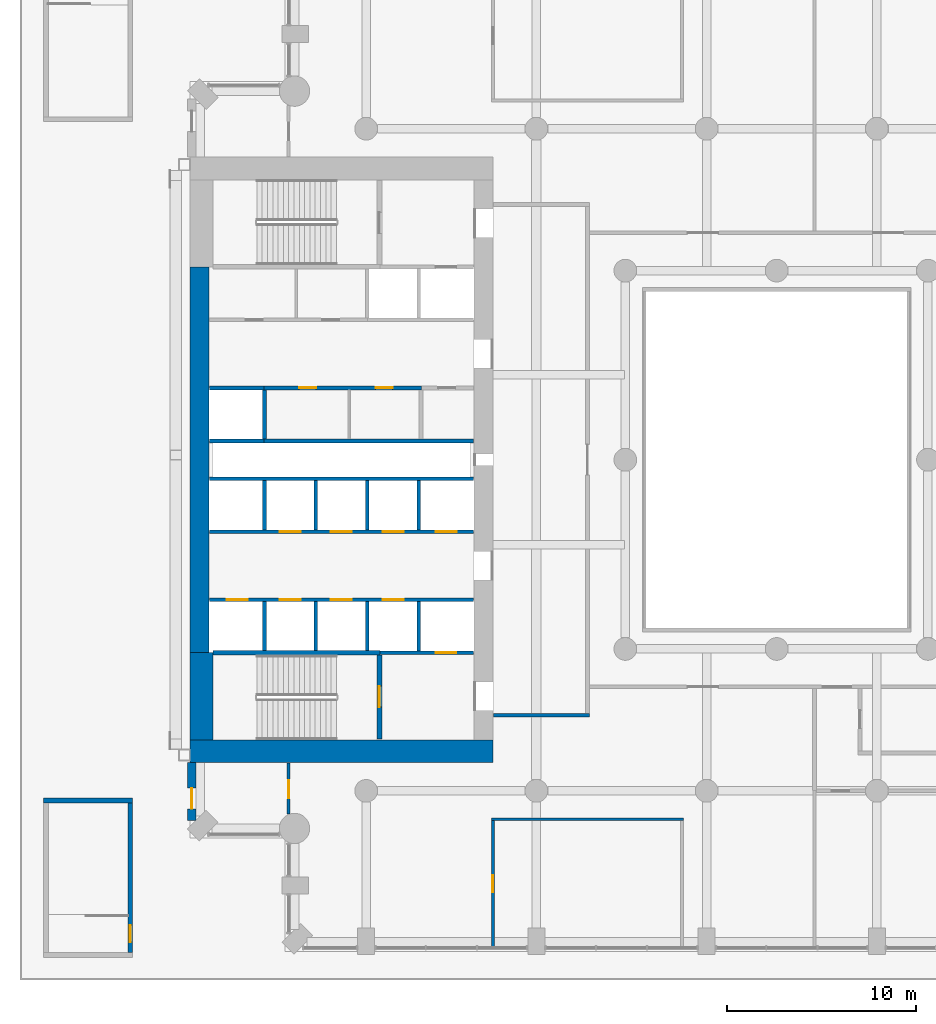
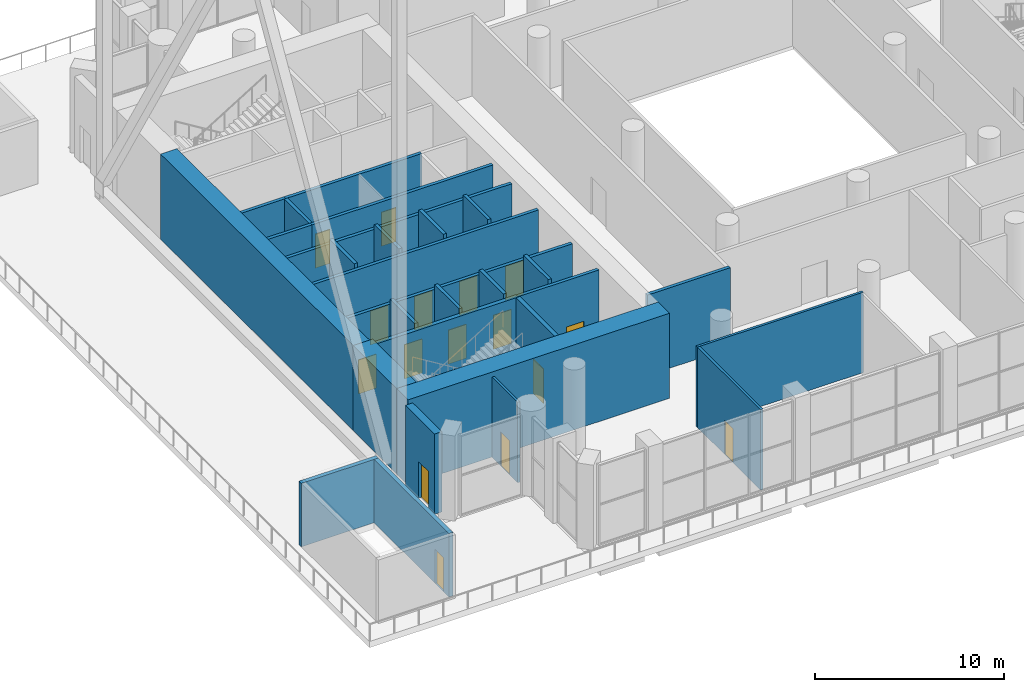
# One storey, part 13 of 26: 29 walls, 16 doors, 16 openings.
"""IFC4 building model written with IfcOpenShell, lengths in metres."""

from ifc_helpers import new_model, si_unit, direction, frame, frame_2d, origin, place, context, subcontext, project, spatial, rectangle, extrude, material, layer, layer_set, type_object, element, fill, save


model = new_model("IFC4")

# Units and contexts
model_context = context("Model", 3, precision=1e-05, world=origin(), true_north=direction((0.0, 1.0)))
body_context = subcontext(model_context, "Body", "Model", "MODEL_VIEW")
ifc_project = project(units=[si_unit("LENGTHUNIT", "METRE"), si_unit("AREAUNIT", "SQUARE_METRE"), si_unit("VOLUMEUNIT", "CUBIC_METRE"), si_unit("PLANEANGLEUNIT", "RADIAN"), si_unit("MASSUNIT", "GRAM", prefix="KILO")], contexts=[model_context])

# Site, building, storey
site_placement = place(None, origin())
site = spatial("IfcSite", under=ifc_project, at=site_placement, CompositionType="ELEMENT")
building_placement = place(site_placement, origin())
building = spatial("IfcBuilding", under=site, at=building_placement, Name="Cypress Arch Tower", CompositionType="ELEMENT")
storey_placement = place(building_placement, frame((0.0, 0.0, 50.0)))
storey = spatial("IfcBuildingStorey", under=building, at=storey_placement, Name="L06", CompositionType="ELEMENT", Elevation=50.0)

# Wall, opening, door
ifc_material_1 = material(Name="Brick (red buff blend)", Category="masonry")
ifc_layer_1 = layer(ifc_material_1, 0.449951171875)
ifc_layer_set_1 = layer_set([ifc_layer_1], Name="Brick pier and spandrel wall BW450")
wall_type_1 = type_object("IfcWallType", Name="Brick pier and spandrel wall BW450", PredefinedType="SOLIDWALL", material=ifc_layer_set_1)
wall_1_placement = place(storey_placement, frame((-29.925048828125, -16.0, 0.0), z_axis=(0.0, 0.0, 1.0), x_axis=(0.0, -1.0, 0.0)))
wall_1 = element("IfcWall", 1, at=wall_1_placement, inside=storey, type_object=wall_type_1, Name="Brick wall L06 A00.0.1", PredefinedType="SOLIDWALL", context=body_context, shape_type="SweptSolid", body=[
    extrude(rectangle(XDim=3.063720703125, YDim=0.449951171875, at=frame_2d((1.53173828125, 0.0))), origin(), (0.0, 0.0, 1.0), 5.199951171875),
])
opening_1_placement = place(wall_1_placement, frame((1.35009765625, 0.0, 0.0)))
opening_1 = element("IfcOpeningElement", 2, at=opening_1_placement, cuts=wall_1, Name="Opening DX1100", PredefinedType="OPENING", context=body_context, shape_type="SweptSolid", body=[
    extrude(rectangle(XDim=1.10009765625, YDim=2.39990234375, at=frame_2d((0.550048828125, 1.199951171875))), frame((0.0, 0.23486328125, 0.0), z_axis=(0.0, -1.0, 0.0), x_axis=(1.0, 0.0, 0.0)), (0.0, 0.0, 1.0), 0.469970703125),
])
ifc_material_2 = material(Name="Steel, powder coated, glazed vision panel", Category="steel")
door_type_1 = type_object("IfcDoorType", Name="Exit door single 1100x2400", OperationType="SINGLE_SWING_LEFT", PredefinedType="DOOR", material=ifc_material_2)
door_1_placement = place(opening_1_placement, origin())
door_1 = element("IfcDoor", 3, at=door_1_placement, inside=storey, type_object=door_type_1, Name="Exterior door L06 A00.0.1.1", OperationType="SINGLE_SWING_LEFT", OverallHeight=2.39990234375, OverallWidth=1.10009765625, PredefinedType="DOOR", context=body_context, shape_type="SweptSolid", body=[
    extrude(rectangle(XDim=1.10009765625, YDim=2.39990234375, at=frame_2d((0.550048828125, 1.199951171875))), frame((0.0, 0.02490234375, 0.0), z_axis=(0.0, -1.0, 0.0), x_axis=(1.0, 0.0, 0.0)), (0.0, 0.0, 1.0), 0.050048828125),
])
fill(opening_1, door_1)

# Walls
ifc_material_3 = material(Name="Concrete C80/95", Category="concrete")
ifc_layer_2 = layer(ifc_material_3, 1.0)
ifc_layer_set_2 = layer_set([ifc_layer_2], Name="Core wall CW1000 C80/95")
wall_type_2 = type_object("IfcWallType", Name="Core wall CW1000 C80/95", PredefinedType="SHEAR", material=ifc_layer_set_2)
wall_2_placement = place(storey_placement, frame((-29.5, -10.199951171875, 0.0), z_axis=(0.0, 0.0, 1.0), x_axis=(0.0, 1.0, 0.0)))
element("IfcWall", 4, at=wall_2_placement, inside=storey, type_object=wall_type_2, Name="Core wall", PredefinedType="SHEAR", context=body_context, shape_type="SweptSolid", body=[
    extrude(rectangle(XDim=20.39990234375, YDim=1.0, at=frame_2d((10.199951171875, 0.0))), origin(), (0.0, 0.0, 1.0), 5.5),
])
ifc_material_4 = material(Name="Concrete C80/95", Category="concrete")
ifc_layer_3 = layer(ifc_material_4, 1.199951171875)
ifc_layer_set_3 = layer_set([ifc_layer_3], Name="Core wall CW1200 C80/95")
wall_type_3 = type_object("IfcWallType", Name="Core wall CW1200 C80/95", PredefinedType="SHEAR", material=ifc_layer_set_3)
wall_3_placement = place(storey_placement, frame((-30.0, -15.39990234375, 0.0), z_axis=(0.0, 0.0, 1.0), x_axis=(1.0, 0.0, 0.0)))
element("IfcWall", 5, at=wall_3_placement, inside=storey, type_object=wall_type_3, Name="Core wall", PredefinedType="SHEAR", context=body_context, shape_type="SweptSolid", body=[
    extrude(rectangle(XDim=16.0, YDim=1.199951171875, at=frame_2d((8.0, 0.0))), origin(), (0.0, 0.0, 1.0), 5.5),
])
wall_4_placement = place(storey_placement, frame((-29.39990234375, -14.800048828125, 0.0), z_axis=(0.0, 0.0, 1.0), x_axis=(0.0, 1.0, 0.0)))
element("IfcWall", 6, at=wall_4_placement, inside=storey, type_object=wall_type_3, Name="Core wall", PredefinedType="SHEAR", context=body_context, shape_type="SweptSolid", body=[
    extrude(rectangle(XDim=4.60009765625, YDim=1.199951171875, at=frame_2d((2.300048828125, 0.0))), origin(), (0.0, 0.0, 1.0), 5.5),
])

# Wall, openings, doors
ifc_material_5 = material(Name="Concrete blockwork, plastered, rated", Category="masonry")
ifc_layer_4 = layer(ifc_material_5, 0.199951171875)
ifc_layer_set_4 = layer_set([ifc_layer_4], Name="Corridor wall FW200")
wall_type_4 = type_object("IfcWallType", Name="Corridor wall FW200", PredefinedType="PARTITIONING", material=ifc_layer_set_4)
wall_5_placement = place(storey_placement, frame((-26.10009765625, 3.800048828125, 0.0), z_axis=(0.0, 0.0, 1.0), x_axis=(1.0, 0.0, 0.0)))
wall_5 = element("IfcWall", 7, at=wall_5_placement, inside=storey, type_object=wall_type_4, Name="Corridor wall", PredefinedType="PARTITIONING", context=body_context, shape_type="SweptSolid", body=[
    extrude(rectangle(XDim=8.320068359375, YDim=0.199951171875, at=frame_2d((4.16015625, 0.0))), origin(), (0.0, 0.0, 1.0), 5.199951171875),
])
opening_2_placement = place(wall_5_placement, frame((1.85009765625, 0.0, 0.0)))
opening_2 = element("IfcOpeningElement", 8, at=opening_2_placement, cuts=wall_5, Name="Opening D05", PredefinedType="OPENING", context=body_context, shape_type="SweptSolid", body=[
    extrude(rectangle(XDim=0.89990234375, YDim=2.199951171875, at=frame_2d((0.449951171875, 1.10009765625))), frame((0.0, 0.10986328125, 0.0), z_axis=(0.0, -1.0, 0.0), x_axis=(1.0, 0.0, 0.0)), (0.0, 0.0, 1.0), 0.219970703125),
])
opening_3_placement = place(wall_5_placement, frame((5.89990234375, 0.0, 0.0)))
opening_3 = element("IfcOpeningElement", 9, at=opening_3_placement, cuts=wall_5, Name="Opening D05", PredefinedType="OPENING", context=body_context, shape_type="SweptSolid", body=[
    extrude(rectangle(XDim=0.89990234375, YDim=2.199951171875, at=frame_2d((0.449951171875, 1.10009765625))), frame((0.0, 0.10986328125, 0.0), z_axis=(0.0, -1.0, 0.0), x_axis=(1.0, 0.0, 0.0)), (0.0, 0.0, 1.0), 0.219970703125),
])
ifc_material_6 = material(Name="Timber flush door", Category="wood")
door_type_2 = type_object("IfcDoorType", Name="Service door D05 900x2200", OperationType="SINGLE_SWING_LEFT", PredefinedType="DOOR", material=ifc_material_6)
door_2_placement = place(opening_2_placement, origin())
door_2 = element("IfcDoor", 10, at=door_2_placement, inside=storey, type_object=door_type_2, Name="Service door", OperationType="SINGLE_SWING_LEFT", OverallHeight=2.199951171875, OverallWidth=0.89990234375, PredefinedType="DOOR", context=body_context, shape_type="SweptSolid", body=[
    extrude(rectangle(XDim=0.89990234375, YDim=2.199951171875, at=frame_2d((0.449951171875, 1.10009765625))), frame((0.0, 0.02490234375, 0.0), z_axis=(0.0, -1.0, 0.0), x_axis=(1.0, 0.0, 0.0)), (0.0, 0.0, 1.0), 0.050048828125),
])
fill(opening_2, door_2)
door_3_placement = place(opening_3_placement, origin())
door_3 = element("IfcDoor", 11, at=door_3_placement, inside=storey, type_object=door_type_2, Name="Service door", OperationType="SINGLE_SWING_RIGHT", OverallHeight=2.199951171875, OverallWidth=0.89990234375, PredefinedType="DOOR", context=body_context, shape_type="SweptSolid", body=[
    extrude(rectangle(XDim=0.89990234375, YDim=2.199951171875, at=frame_2d((0.449951171875, 1.10009765625))), frame((0.0, 0.02490234375, 0.0), z_axis=(0.0, -1.0, 0.0), x_axis=(1.0, 0.0, 0.0)), (0.0, 0.0, 1.0), 0.050048828125),
])
fill(opening_3, door_3)

# Wall
wall_6_placement = place(storey_placement, frame((-13.969970703125, -13.5, 0.0), z_axis=(0.0, 0.0, 1.0), x_axis=(1.0, 0.0, 0.0)))
element("IfcWall", 12, at=wall_6_placement, inside=storey, type_object=wall_type_4, Name="Corridor wall", PredefinedType="PARTITIONING", context=body_context, shape_type="SweptSolid", body=[
    extrude(rectangle(XDim=5.070068359375, YDim=0.199951171875, at=frame_2d((2.53515625, 0.0))), origin(), (0.0, 0.0, 1.0), 5.199951171875),
])

# Wall, opening, door
ifc_material_7 = material(Name="Blockwork, plastered both sides", Category="masonry")
ifc_layer_5 = layer(ifc_material_7, 0.14990234375)
ifc_layer_set_5 = layer_set([ifc_layer_5], Name="Partition PW150")
wall_type_5 = type_object("IfcWallType", Name="Partition PW150", PredefinedType="PARTITIONING", material=ifc_layer_set_5)
wall_7_placement = place(storey_placement, frame((-24.800048828125, -18.73193359375, 0.0), z_axis=(0.0, 0.0, 1.0), x_axis=(0.0, 1.0, 0.0)))
wall_7 = element("IfcWall", 13, at=wall_7_placement, inside=storey, type_object=wall_type_5, Name="Partition", PredefinedType="PARTITIONING", context=body_context, shape_type="SweptSolid", body=[
    extrude(rectangle(XDim=2.701904296875, YDim=0.14990234375, at=frame_2d((1.35107421875, 0.0))), origin(), (0.0, 0.0, 1.0), 5.199951171875),
])
opening_4_placement = place(wall_7_placement, frame((0.85009765625, 0.0, 0.0)))
opening_4 = element("IfcOpeningElement", 14, at=opening_4_placement, cuts=wall_7, Name="Opening D12", PredefinedType="OPENING", context=body_context, shape_type="SweptSolid", body=[
    extrude(rectangle(XDim=0.949951171875, YDim=2.199951171875, at=frame_2d((0.47509765625, 1.10009765625))), frame((0.0, 0.0849609375, 0.0), z_axis=(0.0, -1.0, 0.0), x_axis=(1.0, 0.0, 0.0)), (0.0, 0.0, 1.0), 0.169921875),
])
ifc_material_8 = material(Name="Timber flush door", Category="wood")
door_type_3 = type_object("IfcDoorType", Name="Room door D12 950x2200", OperationType="SINGLE_SWING_LEFT", PredefinedType="DOOR", material=ifc_material_8)
door_4_placement = place(opening_4_placement, origin())
door_4 = element("IfcDoor", 15, at=door_4_placement, inside=storey, type_object=door_type_3, Name="Room door", OperationType="SINGLE_SWING_RIGHT", OverallHeight=2.199951171875, OverallWidth=0.949951171875, PredefinedType="DOOR", context=body_context, shape_type="SweptSolid", body=[
    extrude(rectangle(XDim=0.949951171875, YDim=2.199951171875, at=frame_2d((0.47509765625, 1.10009765625))), frame((0.0, 0.02490234375, 0.0), z_axis=(0.0, -1.0, 0.0), x_axis=(1.0, 0.0, 0.0)), (0.0, 0.0, 1.0), 0.050048828125),
])
fill(opening_4, door_4)

wall_8_placement = place(storey_placement, frame((-14.0, -25.7548828125, 0.0), z_axis=(0.0, 0.0, 1.0), x_axis=(0.0, 1.0, 0.0)))
wall_8 = element("IfcWall", 16, at=wall_8_placement, inside=storey, type_object=wall_type_5, Name="Partition", PredefinedType="PARTITIONING", context=body_context, shape_type="SweptSolid", body=[
    extrude(rectangle(XDim=6.679931640625, YDim=0.14990234375, at=frame_2d((3.33984375, 0.0))), origin(), (0.0, 0.0, 1.0), 5.199951171875),
])
opening_5_placement = place(wall_8_placement, frame((2.89990234375, 0.0, 0.0)))
opening_5 = element("IfcOpeningElement", 17, at=opening_5_placement, cuts=wall_8, Name="Opening D05", PredefinedType="OPENING", context=body_context, shape_type="SweptSolid", body=[
    extrude(rectangle(XDim=0.89990234375, YDim=2.199951171875, at=frame_2d((0.449951171875, 1.10009765625))), frame((0.0, 0.0849609375, 0.0), z_axis=(0.0, -1.0, 0.0), x_axis=(1.0, 0.0, 0.0)), (0.0, 0.0, 1.0), 0.169921875),
])
door_5_placement = place(opening_5_placement, origin())
door_5 = element("IfcDoor", 18, at=door_5_placement, inside=storey, type_object=door_type_2, Name="Service door", OperationType="SINGLE_SWING_RIGHT", OverallHeight=2.199951171875, OverallWidth=0.89990234375, PredefinedType="DOOR", context=body_context, shape_type="SweptSolid", body=[
    extrude(rectangle(XDim=0.89990234375, YDim=2.199951171875, at=frame_2d((0.449951171875, 1.10009765625))), frame((0.0, 0.02490234375, 0.0), z_axis=(0.0, -1.0, 0.0), x_axis=(1.0, 0.0, 0.0)), (0.0, 0.0, 1.0), 0.050048828125),
])
fill(opening_5, door_5)

# Walls
wall_9_placement = place(storey_placement, frame((-14.074951171875, -19.0, 0.0), z_axis=(0.0, 0.0, 1.0), x_axis=(1.0, 0.0, 0.0)))
element("IfcWall", 19, at=wall_9_placement, inside=storey, type_object=wall_type_5, Name="Partition", PredefinedType="PARTITIONING", context=body_context, shape_type="SweptSolid", body=[
    extrude(rectangle(XDim=10.14990234375, YDim=0.14990234375, at=frame_2d((5.074951171875, 0.0))), origin(), (0.0, 0.0, 1.0), 5.199951171875),
])
ifc_material_9 = material(Name="Reinforced blockwork, plastered, rated", Category="masonry")
ifc_layer_6 = layer(ifc_material_9, 0.199951171875)
ifc_layer_set_6 = layer_set([ifc_layer_6], Name="Plant and riser wall PL200")
wall_type_6 = type_object("IfcWallType", Name="Plant and riser wall PL200", PredefinedType="PARTITIONING", material=ifc_layer_set_6)
wall_10_placement = place(storey_placement, frame((-26.10009765625, 1.0, 0.0), z_axis=(0.0, 0.0, 1.0), x_axis=(1.0, 0.0, 0.0)))
element("IfcWall", 20, at=wall_10_placement, inside=storey, type_object=wall_type_6, Name="Plant and riser wall", PredefinedType="PARTITIONING", context=body_context, shape_type="SweptSolid", body=[
    extrude(rectangle(XDim=11.070068359375, YDim=0.199951171875, at=frame_2d((5.53515625, 0.0))), origin(), (0.0, 0.0, 1.0), 5.199951171875),
])

# Wall, openings, doors
ifc_material_10 = material(Name="Concrete C50/60", Category="concrete")
ifc_layer_7 = layer(ifc_material_10, 0.199951171875)
ifc_layer_set_7 = layer_set([ifc_layer_7], Name="Shaft wall SH200")
wall_type_7 = type_object("IfcWallType", Name="Shaft wall SH200", PredefinedType="SHEAR", material=ifc_layer_set_7)
wall_11_placement = place(storey_placement, frame((-28.969970703125, -7.39990234375, 0.0), z_axis=(0.0, 0.0, 1.0), x_axis=(1.0, 0.0, 0.0)))
wall_11 = element("IfcWall", 21, at=wall_11_placement, inside=storey, type_object=wall_type_7, Name="Shaft wall", PredefinedType="SHEAR", context=body_context, shape_type="SweptSolid", body=[
    extrude(rectangle(XDim=13.93994140625, YDim=0.199951171875, at=frame_2d((6.969970703125, 0.0))), origin(), (0.0, 0.0, 1.0), 5.199951171875),
])
opening_6_placement = place(wall_11_placement, frame((0.89990234375, 0.0, 0.0)))
opening_6 = element("IfcOpeningElement", 22, at=opening_6_placement, cuts=wall_11, Name="Opening LD-LR1", PredefinedType="OPENING", context=body_context, shape_type="SweptSolid", body=[
    extrude(rectangle(XDim=1.10009765625, YDim=2.199951171875, at=frame_2d((0.550048828125, 1.10009765625))), frame((0.0, 0.10986328125, 0.0), z_axis=(0.0, -1.0, 0.0), x_axis=(1.0, 0.0, 0.0)), (0.0, 0.0, 1.0), 0.219970703125),
])
opening_7_placement = place(wall_11_placement, frame((3.699951171875, 0.0, 0.0)))
opening_7 = element("IfcOpeningElement", 23, at=opening_7_placement, cuts=wall_11, Name="Opening LD-LR2", PredefinedType="OPENING", context=body_context, shape_type="SweptSolid", body=[
    extrude(rectangle(XDim=1.10009765625, YDim=2.199951171875, at=frame_2d((0.550048828125, 1.10009765625))), frame((0.0, 0.10986328125, 0.0), z_axis=(0.0, -1.0, 0.0), x_axis=(1.0, 0.0, 0.0)), (0.0, 0.0, 1.0), 0.219970703125),
])
opening_8_placement = place(wall_11_placement, frame((6.39990234375, 0.0, 0.0)))
opening_8 = element("IfcOpeningElement", 24, at=opening_8_placement, cuts=wall_11, Name="Opening LD-LR3", PredefinedType="OPENING", context=body_context, shape_type="SweptSolid", body=[
    extrude(rectangle(XDim=1.10009765625, YDim=2.199951171875, at=frame_2d((0.550048828125, 1.10009765625))), frame((0.0, 0.10986328125, 0.0), z_axis=(0.0, -1.0, 0.0), x_axis=(1.0, 0.0, 0.0)), (0.0, 0.0, 1.0), 0.219970703125),
])
opening_9_placement = place(wall_11_placement, frame((9.14990234375, 0.0, 0.0)))
opening_9 = element("IfcOpeningElement", 25, at=opening_9_placement, cuts=wall_11, Name="Opening LD-LR4", PredefinedType="OPENING", context=body_context, shape_type="SweptSolid", body=[
    extrude(rectangle(XDim=1.10009765625, YDim=2.199951171875, at=frame_2d((0.550048828125, 1.10009765625))), frame((0.0, 0.10986328125, 0.0), z_axis=(0.0, -1.0, 0.0), x_axis=(1.0, 0.0, 0.0)), (0.0, 0.0, 1.0), 0.219970703125),
])
ifc_material_11 = material(Name="Stainless steel centre-opening landing door, rated", Category="steel")
door_type_4 = type_object("IfcDoorType", Name="Lift landing door LD 1100x2200", OperationType="DOUBLE_DOOR_SLIDING", PredefinedType="DOOR", material=ifc_material_11)
door_6_placement = place(opening_6_placement, origin())
door_6 = element("IfcDoor", 26, at=door_6_placement, inside=storey, type_object=door_type_4, Name="Lift landing doors LR1", OperationType="DOUBLE_DOOR_SLIDING", OverallHeight=2.199951171875, OverallWidth=1.10009765625, PredefinedType="DOOR", context=body_context, shape_type="SweptSolid", body=[
    extrude(rectangle(XDim=1.10009765625, YDim=2.199951171875, at=frame_2d((0.550048828125, 1.10009765625))), frame((0.0, 0.02490234375, 0.0), z_axis=(0.0, -1.0, 0.0), x_axis=(1.0, 0.0, 0.0)), (0.0, 0.0, 1.0), 0.050048828125),
])
fill(opening_6, door_6)
door_7_placement = place(opening_7_placement, origin())
door_7 = element("IfcDoor", 27, at=door_7_placement, inside=storey, type_object=door_type_4, Name="Lift landing doors LR2", OperationType="DOUBLE_DOOR_SLIDING", OverallHeight=2.199951171875, OverallWidth=1.10009765625, PredefinedType="DOOR", context=body_context, shape_type="SweptSolid", body=[
    extrude(rectangle(XDim=1.10009765625, YDim=2.199951171875, at=frame_2d((0.550048828125, 1.10009765625))), frame((0.0, 0.02490234375, 0.0), z_axis=(0.0, -1.0, 0.0), x_axis=(1.0, 0.0, 0.0)), (0.0, 0.0, 1.0), 0.050048828125),
])
fill(opening_7, door_7)
door_8_placement = place(opening_8_placement, origin())
door_8 = element("IfcDoor", 28, at=door_8_placement, inside=storey, type_object=door_type_4, Name="Lift landing doors LR3", OperationType="DOUBLE_DOOR_SLIDING", OverallHeight=2.199951171875, OverallWidth=1.10009765625, PredefinedType="DOOR", context=body_context, shape_type="SweptSolid", body=[
    extrude(rectangle(XDim=1.10009765625, YDim=2.199951171875, at=frame_2d((0.550048828125, 1.10009765625))), frame((0.0, 0.02490234375, 0.0), z_axis=(0.0, -1.0, 0.0), x_axis=(1.0, 0.0, 0.0)), (0.0, 0.0, 1.0), 0.050048828125),
])
fill(opening_8, door_8)
door_9_placement = place(opening_9_placement, origin())
door_9 = element("IfcDoor", 29, at=door_9_placement, inside=storey, type_object=door_type_4, Name="Lift landing doors LR4", OperationType="DOUBLE_DOOR_SLIDING", OverallHeight=2.199951171875, OverallWidth=1.10009765625, PredefinedType="DOOR", context=body_context, shape_type="SweptSolid", body=[
    extrude(rectangle(XDim=1.10009765625, YDim=2.199951171875, at=frame_2d((0.550048828125, 1.10009765625))), frame((0.0, 0.02490234375, 0.0), z_axis=(0.0, -1.0, 0.0), x_axis=(1.0, 0.0, 0.0)), (0.0, 0.0, 1.0), 0.050048828125),
])
fill(opening_9, door_9)

wall_12_placement = place(storey_placement, frame((-28.969970703125, -3.800048828125, 0.0), z_axis=(0.0, 0.0, 1.0), x_axis=(1.0, 0.0, 0.0)))
wall_12 = element("IfcWall", 30, at=wall_12_placement, inside=storey, type_object=wall_type_7, Name="Shaft wall", PredefinedType="SHEAR", context=body_context, shape_type="SweptSolid", body=[
    extrude(rectangle(XDim=13.93994140625, YDim=0.199951171875, at=frame_2d((6.969970703125, 0.0))), origin(), (0.0, 0.0, 1.0), 5.199951171875),
])
opening_10_placement = place(wall_12_placement, frame((3.699951171875, 0.0, 0.0)))
opening_10 = element("IfcOpeningElement", 31, at=opening_10_placement, cuts=wall_12, Name="Opening LD-LR5", PredefinedType="OPENING", context=body_context, shape_type="SweptSolid", body=[
    extrude(rectangle(XDim=1.10009765625, YDim=2.199951171875, at=frame_2d((0.550048828125, 1.10009765625))), frame((0.0, 0.10986328125, 0.0), z_axis=(0.0, -1.0, 0.0), x_axis=(1.0, 0.0, 0.0)), (0.0, 0.0, 1.0), 0.219970703125),
])
opening_11_placement = place(wall_12_placement, frame((6.39990234375, 0.0, 0.0)))
opening_11 = element("IfcOpeningElement", 32, at=opening_11_placement, cuts=wall_12, Name="Opening LD-LR6", PredefinedType="OPENING", context=body_context, shape_type="SweptSolid", body=[
    extrude(rectangle(XDim=1.10009765625, YDim=2.199951171875, at=frame_2d((0.550048828125, 1.10009765625))), frame((0.0, 0.10986328125, 0.0), z_axis=(0.0, -1.0, 0.0), x_axis=(1.0, 0.0, 0.0)), (0.0, 0.0, 1.0), 0.219970703125),
])
opening_12_placement = place(wall_12_placement, frame((9.14990234375, 0.0, 0.0)))
opening_12 = element("IfcOpeningElement", 33, at=opening_12_placement, cuts=wall_12, Name="Opening LD-LR7", PredefinedType="OPENING", context=body_context, shape_type="SweptSolid", body=[
    extrude(rectangle(XDim=1.10009765625, YDim=2.199951171875, at=frame_2d((0.550048828125, 1.10009765625))), frame((0.0, 0.10986328125, 0.0), z_axis=(0.0, -1.0, 0.0), x_axis=(1.0, 0.0, 0.0)), (0.0, 0.0, 1.0), 0.219970703125),
])
opening_13_placement = place(wall_12_placement, frame((11.949951171875, 0.0, 0.0)))
opening_13 = element("IfcOpeningElement", 34, at=opening_13_placement, cuts=wall_12, Name="Opening LD-LR8", PredefinedType="OPENING", context=body_context, shape_type="SweptSolid", body=[
    extrude(rectangle(XDim=1.10009765625, YDim=2.199951171875, at=frame_2d((0.550048828125, 1.10009765625))), frame((0.0, 0.10986328125, 0.0), z_axis=(0.0, -1.0, 0.0), x_axis=(1.0, 0.0, 0.0)), (0.0, 0.0, 1.0), 0.219970703125),
])
door_10_placement = place(opening_10_placement, origin())
door_10 = element("IfcDoor", 35, at=door_10_placement, inside=storey, type_object=door_type_4, Name="Lift landing doors LR5", OperationType="DOUBLE_DOOR_SLIDING", OverallHeight=2.199951171875, OverallWidth=1.10009765625, PredefinedType="DOOR", context=body_context, shape_type="SweptSolid", body=[
    extrude(rectangle(XDim=1.10009765625, YDim=2.199951171875, at=frame_2d((0.550048828125, 1.10009765625))), frame((0.0, 0.02490234375, 0.0), z_axis=(0.0, -1.0, 0.0), x_axis=(1.0, 0.0, 0.0)), (0.0, 0.0, 1.0), 0.050048828125),
])
fill(opening_10, door_10)
door_11_placement = place(opening_11_placement, origin())
door_11 = element("IfcDoor", 36, at=door_11_placement, inside=storey, type_object=door_type_4, Name="Lift landing doors LR6", OperationType="DOUBLE_DOOR_SLIDING", OverallHeight=2.199951171875, OverallWidth=1.10009765625, PredefinedType="DOOR", context=body_context, shape_type="SweptSolid", body=[
    extrude(rectangle(XDim=1.10009765625, YDim=2.199951171875, at=frame_2d((0.550048828125, 1.10009765625))), frame((0.0, 0.02490234375, 0.0), z_axis=(0.0, -1.0, 0.0), x_axis=(1.0, 0.0, 0.0)), (0.0, 0.0, 1.0), 0.050048828125),
])
fill(opening_11, door_11)
door_12_placement = place(opening_12_placement, origin())
door_12 = element("IfcDoor", 37, at=door_12_placement, inside=storey, type_object=door_type_4, Name="Lift landing doors LR7", OperationType="DOUBLE_DOOR_SLIDING", OverallHeight=2.199951171875, OverallWidth=1.10009765625, PredefinedType="DOOR", context=body_context, shape_type="SweptSolid", body=[
    extrude(rectangle(XDim=1.10009765625, YDim=2.199951171875, at=frame_2d((0.550048828125, 1.10009765625))), frame((0.0, 0.02490234375, 0.0), z_axis=(0.0, -1.0, 0.0), x_axis=(1.0, 0.0, 0.0)), (0.0, 0.0, 1.0), 0.050048828125),
])
fill(opening_12, door_12)
door_13_placement = place(opening_13_placement, origin())
door_13 = element("IfcDoor", 38, at=door_13_placement, inside=storey, type_object=door_type_4, Name="Lift landing doors LR8", OperationType="DOUBLE_DOOR_SLIDING", OverallHeight=2.199951171875, OverallWidth=1.10009765625, PredefinedType="DOOR", context=body_context, shape_type="SweptSolid", body=[
    extrude(rectangle(XDim=1.10009765625, YDim=2.199951171875, at=frame_2d((0.550048828125, 1.10009765625))), frame((0.0, 0.02490234375, 0.0), z_axis=(0.0, -1.0, 0.0), x_axis=(1.0, 0.0, 0.0)), (0.0, 0.0, 1.0), 0.050048828125),
])
fill(opening_13, door_13)

# Walls
wall_13_placement = place(storey_placement, frame((-28.969970703125, -1.0, 0.0), z_axis=(0.0, 0.0, 1.0), x_axis=(1.0, 0.0, 0.0)))
element("IfcWall", 39, at=wall_13_placement, inside=storey, type_object=wall_type_7, Name="Shaft wall", PredefinedType="SHEAR", context=body_context, shape_type="SweptSolid", body=[
    extrude(rectangle(XDim=13.93994140625, YDim=0.199951171875, at=frame_2d((6.969970703125, 0.0))), origin(), (0.0, 0.0, 1.0), 5.199951171875),
])
for number, where, z_axis, x_axis, name in (
    (40, (-28.969970703125, 1.0, 0.0), (0.0, 0.0, 1.0), (1.0, 0.0, 0.0), "Shaft wall"),
    (41, (-28.969970703125, 3.800048828125, 0.0), (0.0, 0.0, 1.0), (1.0, 0.0, 0.0), "Shaft wall"),
):
    element("IfcWall", number, at=place(storey_placement, frame(where, z_axis=z_axis, x_axis=x_axis)), inside=storey, type_object=wall_type_7, Name=name, PredefinedType="SHEAR", context=body_context, shape_type="SweptSolid", body=[
        extrude(rectangle(XDim=2.869873046875, YDim=0.199951171875, at=frame_2d((1.43505859375, 0.0))), origin(), (0.0, 0.0, 1.0), 5.199951171875),
    ])
wall_14_placement = place(storey_placement, frame((-26.080078125, -10.074951171875, 0.0), z_axis=(0.0, 0.0, 1.0), x_axis=(0.0, 1.0, 0.0)))
element("IfcWall", 42, at=wall_14_placement, inside=storey, type_object=wall_type_7, Name="Shaft wall", PredefinedType="SHEAR", context=body_context, shape_type="SweptSolid", body=[
    extrude(rectangle(XDim=2.574951171875, YDim=0.199951171875, at=frame_2d((1.28759765625, 0.0))), origin(), (0.0, 0.0, 1.0), 5.5),
])
wall_15_placement = place(storey_placement, frame((-26.080078125, -3.699951171875, 0.0), z_axis=(0.0, 0.0, 1.0), x_axis=(0.0, 1.0, 0.0)))
element("IfcWall", 43, at=wall_15_placement, inside=storey, type_object=wall_type_7, Name="Shaft wall", PredefinedType="SHEAR", context=body_context, shape_type="SweptSolid", body=[
    extrude(rectangle(XDim=2.599853515625, YDim=0.199951171875, at=frame_2d((1.2998046875, 0.0))), origin(), (0.0, 0.0, 1.0), 5.5),
])
wall_16_placement = place(storey_placement, frame((-26.080078125, 1.10009765625, 0.0), z_axis=(0.0, 0.0, 1.0), x_axis=(0.0, 1.0, 0.0)))
element("IfcWall", 44, at=wall_16_placement, inside=storey, type_object=wall_type_7, Name="Shaft wall", PredefinedType="SHEAR", context=body_context, shape_type="SweptSolid", body=[
    extrude(rectangle(XDim=2.599853515625, YDim=0.199951171875, at=frame_2d((1.2998046875, 0.0))), origin(), (0.0, 0.0, 1.0), 5.199951171875),
])
wall_17_placement = place(storey_placement, frame((-23.360107421875, -10.074951171875, 0.0), z_axis=(0.0, 0.0, 1.0), x_axis=(0.0, 1.0, 0.0)))
element("IfcWall", 45, at=wall_17_placement, inside=storey, type_object=wall_type_7, Name="Shaft wall", PredefinedType="SHEAR", context=body_context, shape_type="SweptSolid", body=[
    extrude(rectangle(XDim=2.574951171875, YDim=0.199951171875, at=frame_2d((1.28759765625, 0.0))), origin(), (0.0, 0.0, 1.0), 5.5),
])
wall_18_placement = place(storey_placement, frame((-23.360107421875, -3.699951171875, 0.0), z_axis=(0.0, 0.0, 1.0), x_axis=(0.0, 1.0, 0.0)))
element("IfcWall", 46, at=wall_18_placement, inside=storey, type_object=wall_type_7, Name="Shaft wall", PredefinedType="SHEAR", context=body_context, shape_type="SweptSolid", body=[
    extrude(rectangle(XDim=2.599853515625, YDim=0.199951171875, at=frame_2d((1.2998046875, 0.0))), origin(), (0.0, 0.0, 1.0), 5.5),
])
wall_19_placement = place(storey_placement, frame((-20.639892578125, -10.074951171875, 0.0), z_axis=(0.0, 0.0, 1.0), x_axis=(0.0, 1.0, 0.0)))
element("IfcWall", 47, at=wall_19_placement, inside=storey, type_object=wall_type_7, Name="Shaft wall", PredefinedType="SHEAR", context=body_context, shape_type="SweptSolid", body=[
    extrude(rectangle(XDim=2.574951171875, YDim=0.199951171875, at=frame_2d((1.28759765625, 0.0))), origin(), (0.0, 0.0, 1.0), 5.5),
])
wall_20_placement = place(storey_placement, frame((-20.639892578125, -3.699951171875, 0.0), z_axis=(0.0, 0.0, 1.0), x_axis=(0.0, 1.0, 0.0)))
element("IfcWall", 48, at=wall_20_placement, inside=storey, type_object=wall_type_7, Name="Shaft wall", PredefinedType="SHEAR", context=body_context, shape_type="SweptSolid", body=[
    extrude(rectangle(XDim=2.599853515625, YDim=0.199951171875, at=frame_2d((1.2998046875, 0.0))), origin(), (0.0, 0.0, 1.0), 5.5),
])

# Wall, opening, door
wall_21_placement = place(storey_placement, frame((-19.97998046875, -10.199951171875, 0.0), z_axis=(0.0, 0.0, 1.0), x_axis=(1.0, 0.0, 0.0)))
wall_21 = element("IfcWall", 49, at=wall_21_placement, inside=storey, type_object=wall_type_7, Name="Shaft wall", PredefinedType="SHEAR", context=body_context, shape_type="SweptSolid", body=[
    extrude(rectangle(XDim=4.949951171875, YDim=0.199951171875, at=frame_2d((2.47509765625, 0.0))), origin(), (0.0, 0.0, 1.0), 5.199951171875),
])
opening_14_placement = place(wall_21_placement, frame((2.949951171875, 0.0, 0.0)))
opening_14 = element("IfcOpeningElement", 50, at=opening_14_placement, cuts=wall_21, Name="Opening LD-FL1", PredefinedType="OPENING", context=body_context, shape_type="SweptSolid", body=[
    extrude(rectangle(XDim=1.10009765625, YDim=2.199951171875, at=frame_2d((0.550048828125, 1.10009765625))), frame((0.0, 0.10986328125, 0.0), z_axis=(0.0, -1.0, 0.0), x_axis=(1.0, 0.0, 0.0)), (0.0, 0.0, 1.0), 0.219970703125),
])
door_14_placement = place(opening_14_placement, origin())
door_14 = element("IfcDoor", 51, at=door_14_placement, inside=storey, type_object=door_type_4, Name="Lift landing doors FL1", OperationType="DOUBLE_DOOR_SLIDING", OverallHeight=2.199951171875, OverallWidth=1.10009765625, PredefinedType="DOOR", context=body_context, shape_type="SweptSolid", body=[
    extrude(rectangle(XDim=1.10009765625, YDim=2.199951171875, at=frame_2d((0.550048828125, 1.10009765625))), frame((0.0, 0.02490234375, 0.0), z_axis=(0.0, -1.0, 0.0), x_axis=(1.0, 0.0, 0.0)), (0.0, 0.0, 1.0), 0.050048828125),
])
fill(opening_14, door_14)

# Walls
wall_22_placement = place(storey_placement, frame((-17.919921875, -10.10009765625, 0.0), z_axis=(0.0, 0.0, 1.0), x_axis=(0.0, 1.0, 0.0)))
element("IfcWall", 52, at=wall_22_placement, inside=storey, type_object=wall_type_7, Name="Shaft wall", PredefinedType="SHEAR", context=body_context, shape_type="SweptSolid", body=[
    extrude(rectangle(XDim=2.60009765625, YDim=0.199951171875, at=frame_2d((1.300048828125, 0.0))), origin(), (0.0, 0.0, 1.0), 5.5),
])
wall_23_placement = place(storey_placement, frame((-17.919921875, -3.699951171875, 0.0), z_axis=(0.0, 0.0, 1.0), x_axis=(0.0, 1.0, 0.0)))
element("IfcWall", 53, at=wall_23_placement, inside=storey, type_object=wall_type_7, Name="Shaft wall", PredefinedType="SHEAR", context=body_context, shape_type="SweptSolid", body=[
    extrude(rectangle(XDim=2.599853515625, YDim=0.199951171875, at=frame_2d((1.2998046875, 0.0))), origin(), (0.0, 0.0, 1.0), 5.5),
])
ifc_material_12 = material(Name="Concrete C50/60", Category="concrete")
ifc_layer_8 = layer(ifc_material_12, 0.25)
ifc_layer_set_8 = layer_set([ifc_layer_8], Name="Stair enclosure wall SW250")
wall_type_8 = type_object("IfcWallType", Name="Stair enclosure wall SW250", PredefinedType="SHEAR", material=ifc_layer_set_8)
wall_24_placement = place(storey_placement, frame((-37.75, -18.0048828125, 0.0), z_axis=(0.0, 0.0, 1.0), x_axis=(1.0, 0.0, 0.0)))
element("IfcWall", 54, at=wall_24_placement, inside=storey, type_object=wall_type_8, Name="Stair enclosure wall", PredefinedType="SHEAR", context=body_context, shape_type="SweptSolid", body=[
    extrude(rectangle(XDim=4.699951171875, YDim=0.25, at=frame_2d((2.35009765625, 0.0))), origin(), (0.0, 0.0, 1.0), 4.10009765625),
])

# Wall, opening, door
wall_25_placement = place(storey_placement, frame((-33.175048828125, -26.050048828125, 0.0), z_axis=(0.0, 0.0, 1.0), x_axis=(0.0, 1.0, 0.0)))
wall_25 = element("IfcWall", 55, at=wall_25_placement, inside=storey, type_object=wall_type_8, Name="Stair enclosure wall", PredefinedType="SHEAR", context=body_context, shape_type="SweptSolid", body=[
    extrude(rectangle(XDim=7.920166015625, YDim=0.25, at=frame_2d((3.9599609375, 0.0))), origin(), (0.0, 0.0, 1.0), 4.10009765625),
])
opening_15_placement = place(wall_25_placement, frame((0.550048828125, 0.0, 0.0)))
opening_15 = element("IfcOpeningElement", 56, at=opening_15_placement, cuts=wall_25, Name="Opening D15", PredefinedType="OPENING", context=body_context, shape_type="SweptSolid", body=[
    extrude(rectangle(XDim=0.89990234375, YDim=2.199951171875, at=frame_2d((0.449951171875, 1.10009765625))), frame((0.0, 0.135009765625, 0.0), z_axis=(0.0, -1.0, 0.0), x_axis=(1.0, 0.0, 0.0)), (0.0, 0.0, 1.0), 0.27001953125),
])
ifc_material_13 = material(Name="Steel door, fire resisting, panic bar", Category="steel")
door_type_5 = type_object("IfcDoorType", Name="Stair door D15 900x2200", OperationType="SINGLE_SWING_LEFT", PredefinedType="DOOR", material=ifc_material_13)
door_15_placement = place(opening_15_placement, origin())
door_15 = element("IfcDoor", 57, at=door_15_placement, inside=storey, type_object=door_type_5, Name="Stair door", OperationType="SINGLE_SWING_RIGHT", OverallHeight=2.199951171875, OverallWidth=0.89990234375, PredefinedType="DOOR", context=body_context, shape_type="SweptSolid", body=[
    extrude(rectangle(XDim=0.89990234375, YDim=2.199951171875, at=frame_2d((0.449951171875, 1.10009765625))), frame((0.0, 0.02490234375, 0.0), z_axis=(0.0, -1.0, 0.0), x_axis=(1.0, 0.0, 0.0)), (0.0, 0.0, 1.0), 0.050048828125),
])
fill(opening_15, door_15)

# Wall
wall_26_placement = place(storey_placement, frame((-28.81005859375, -10.199951171875, 0.0), z_axis=(0.0, 0.0, 1.0), x_axis=(1.0, 0.0, 0.0)))
element("IfcWall", 58, at=wall_26_placement, inside=storey, type_object=wall_type_8, Name="Stair enclosure wall", PredefinedType="SHEAR", context=body_context, shape_type="SweptSolid", body=[
    extrude(rectangle(XDim=8.830078125, YDim=0.25, at=frame_2d((4.4150390625, 0.0))), origin(), (0.0, 0.0, 1.0), 5.199951171875),
])

# Wall, opening, door
wall_27_placement = place(storey_placement, frame((-20.0, -14.77001953125, 0.0), z_axis=(0.0, 0.0, 1.0), x_axis=(0.0, 1.0, 0.0)))
wall_27 = element("IfcWall", 59, at=wall_27_placement, inside=storey, type_object=wall_type_8, Name="Stair enclosure wall", PredefinedType="SHEAR", context=body_context, shape_type="SweptSolid", body=[
    extrude(rectangle(XDim=4.445068359375, YDim=0.25, at=frame_2d((2.22265625, 0.0))), origin(), (0.0, 0.0, 1.0), 5.199951171875),
])
opening_16_placement = place(wall_27_placement, frame((1.699951171875, 0.0, 0.0)))
opening_16 = element("IfcOpeningElement", 60, at=opening_16_placement, cuts=wall_27, Name="Opening D06", PredefinedType="OPENING", context=body_context, shape_type="SweptSolid", body=[
    extrude(rectangle(XDim=1.10009765625, YDim=2.199951171875, at=frame_2d((0.550048828125, 1.10009765625))), frame((0.0, 0.135009765625, 0.0), z_axis=(0.0, -1.0, 0.0), x_axis=(1.0, 0.0, 0.0)), (0.0, 0.0, 1.0), 0.27001953125),
])
ifc_material_14 = material(Name="Steel door, fire resisting, panic bar", Category="steel")
door_type_6 = type_object("IfcDoorType", Name="Stair door D06 1100x2200", OperationType="SINGLE_SWING_LEFT", PredefinedType="DOOR", material=ifc_material_14)
door_16_placement = place(opening_16_placement, origin())
door_16 = element("IfcDoor", 61, at=door_16_placement, inside=storey, type_object=door_type_6, Name="Stair door", OperationType="SINGLE_SWING_RIGHT", OverallHeight=2.199951171875, OverallWidth=1.10009765625, PredefinedType="DOOR", context=body_context, shape_type="SweptSolid", body=[
    extrude(rectangle(XDim=1.10009765625, YDim=2.199951171875, at=frame_2d((0.550048828125, 1.10009765625))), frame((0.0, 0.02490234375, 0.0), z_axis=(0.0, -1.0, 0.0), x_axis=(1.0, 0.0, 0.0)), (0.0, 0.0, 1.0), 0.050048828125),
])
fill(opening_16, door_16)

save(model, "model.ifc")
